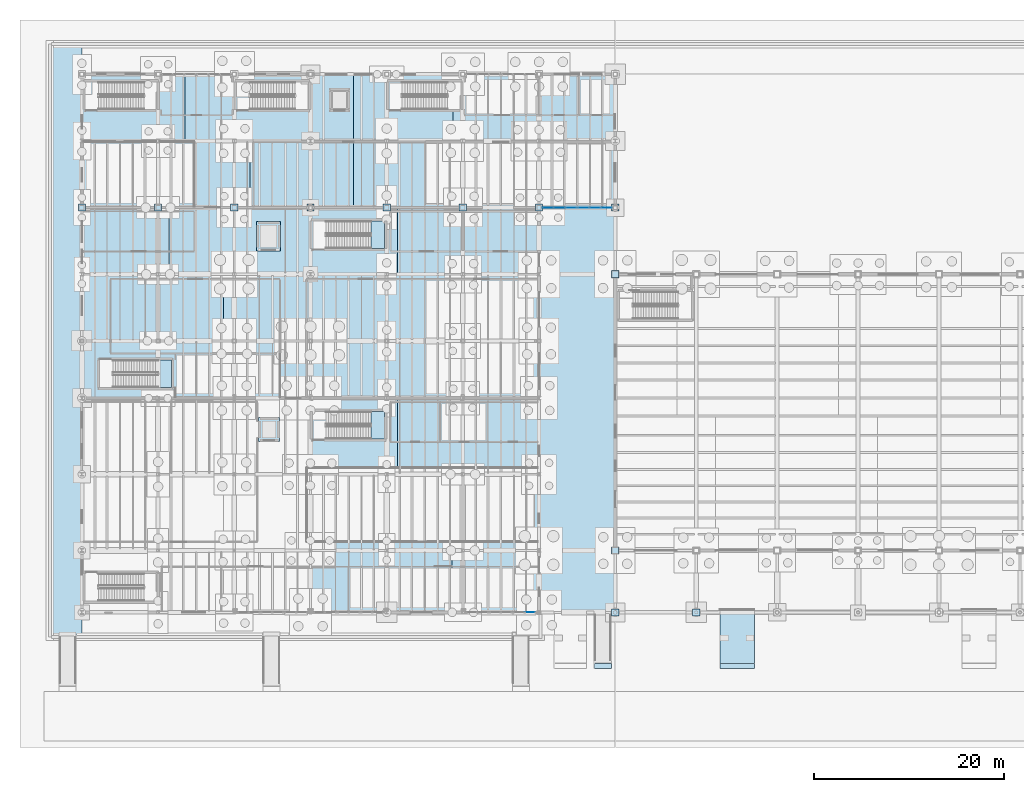
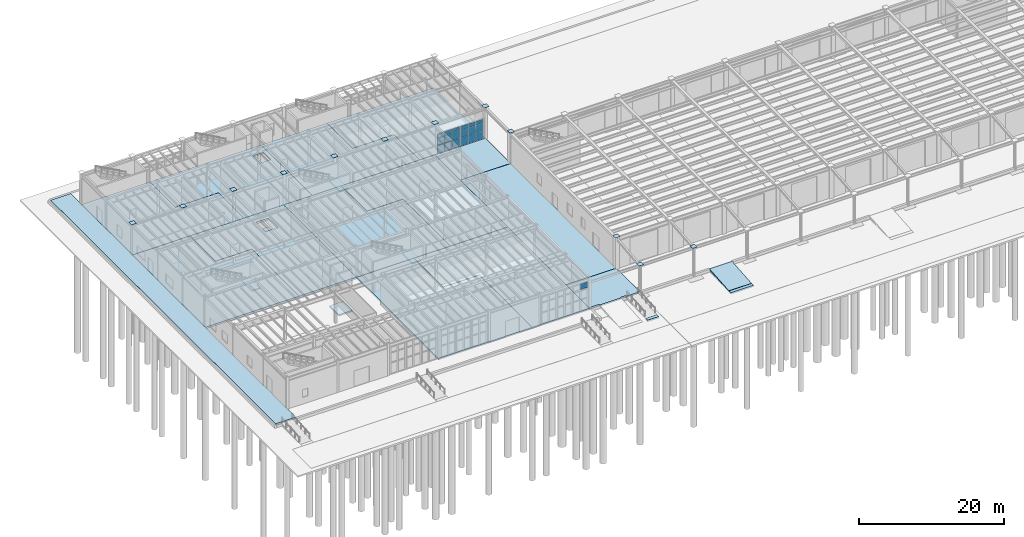
# One storey, part 49 of 86: 31 plates, 22 slabs, 6 elements without a shape of their own.
"""IFC4 building model written with IfcOpenShell, lengths in metres."""

from ifc_helpers import new_model, si_unit, direction, frame, origin, origin_2d, place, context, subcontext, project, spatial, polyline, rectangle, outline, extrude, material, layer, layer_set, material_profile, profile_set, type_object, element, aggregate, save


model = new_model("IFC4")

# Units and contexts
model_context = context("Model", 3, precision=1e-05, world=origin(), true_north=direction((0.0, 1.0)))
body_context = subcontext(model_context, "Body", "Model", "MODEL_VIEW")
ifc_project = project(units=[si_unit("LENGTHUNIT", "METRE"), si_unit("AREAUNIT", "SQUARE_METRE"), si_unit("VOLUMEUNIT", "CUBIC_METRE"), si_unit("PLANEANGLEUNIT", "RADIAN"), si_unit("MASSUNIT", "GRAM", prefix="KILO"), si_unit("THERMODYNAMICTEMPERATUREUNIT", "KELVIN"), si_unit("POWERUNIT", "WATT")], contexts=[model_context])

# Site, building, storey
site_placement = place(None, origin())
site = spatial("IfcSite", under=ifc_project, at=site_placement, CompositionType="ELEMENT")
building_placement = place(site_placement, origin())
building = spatial("IfcBuilding", under=site, at=building_placement, Name="Zhenchuan Central Fire Station", CompositionType="ELEMENT")
storey_placement = place(building_placement, frame((0.0, 0.0, 0.449951171875)))
storey = spatial("IfcBuildingStorey", under=building, at=storey_placement, Name="L01", CompositionType="ELEMENT", Elevation=0.449951171875)

# Curtain wall, plate
ifc_material_1 = material(Name="Anodised aluminium and low-E glazing", Category="aluminium")
curtain_wall_type_1 = type_object("IfcCurtainWallType", Name="CW-MOD-19", PredefinedType="USERDEFINED", material=ifc_material_1)
curtain_wall_1_placement = place(storey_placement, origin())
curtain_wall_1 = element("IfcCurtainWall", 1, at=curtain_wall_1_placement, inside=storey, type_object=curtain_wall_type_1, Name="L01 Unitised Curtain Wall 024", ObjectType="UNITISED GLAZING", PredefinedType="USERDEFINED")
ifc_material_2 = material(Name="Laminated low-E double glazing", Category="glass")
ifc_layer_1 = layer(ifc_material_2, 0.011962890625, Name="Laminated low-E double glazing", Category="glass")
ifc_layer_set_1 = layer_set([ifc_layer_1], Name="Laminated low-E double glazing")
plate_type_1 = type_object("IfcPlateType", Name="CW-PNL12", PredefinedType="CURTAIN_PANEL", material=ifc_layer_set_1)
plate_1_placement = place(storey_placement, frame((47.073974609375, 0.0, 3.66455078125), z_axis=(0.0, 0.0, 1.0), x_axis=(1.0, 0.0, 0.0)))
plate_1 = element("IfcPlate", 2, at=plate_1_placement, type_object=plate_type_1, Name="CW-19 panel 2.3", PredefinedType="CURTAIN_PANEL", context=body_context, shape_type="SweptSolid", body=[
    extrude(rectangle(XDim=1.101806640625, YDim=0.011962890625, at=origin_2d()), origin(), (0.0, 0.0, 1.0), 0.910400390625),
])
aggregate(curtain_wall_1, [plate_1])

# Curtain wall, plates
curtain_wall_type_2 = type_object("IfcCurtainWallType", Name="CW-MOD-05", PredefinedType="USERDEFINED", material=ifc_material_1)
curtain_wall_2_placement = place(storey_placement, origin())
curtain_wall_2 = element("IfcCurtainWall", 3, at=curtain_wall_2_placement, inside=storey, type_object=curtain_wall_type_2, Name="L01 Unitised Curtain Wall 056", ObjectType="UNITISED GLAZING", PredefinedType="USERDEFINED")
plate_2_placement = place(storey_placement, frame((48.926513671875, 42.5, 0.06103515625), z_axis=(0.0, 0.0, 1.0), x_axis=(1.0, 0.0, 0.0)))
plate_2 = element("IfcPlate", 4, at=plate_2_placement, type_object=plate_type_1, Name="CW-05 panel 1.1", PredefinedType="CURTAIN_PANEL", context=body_context, shape_type="SweptSolid", body=[
    extrude(rectangle(XDim=1.123046875, YDim=0.011962890625, at=origin_2d()), origin(), (0.0, 0.0, 1.0), 1.33447265625),
])
plate_3_placement = place(storey_placement, frame((48.926513671875, 42.5, 1.46044921875), z_axis=(0.0, 0.0, 1.0), x_axis=(1.0, 0.0, 0.0)))
plate_3 = element("IfcPlate", 5, at=plate_3_placement, type_object=plate_type_1, Name="CW-05 panel 1.2", PredefinedType="CURTAIN_PANEL", context=body_context, shape_type="SweptSolid", body=[
    extrude(rectangle(XDim=1.123046875, YDim=0.011962890625, at=origin_2d()), origin(), (0.0, 0.0, 1.0), 1.158935546875),
])
plate_4_placement = place(storey_placement, frame((48.926513671875, 42.5, 2.6845703125), z_axis=(0.0, 0.0, 1.0), x_axis=(1.0, 0.0, 0.0)))
plate_4 = element("IfcPlate", 6, at=plate_4_placement, type_object=plate_type_1, Name="CW-05 panel 1.3", PredefinedType="CURTAIN_PANEL", context=body_context, shape_type="SweptSolid", body=[
    extrude(rectangle(XDim=1.123046875, YDim=0.011962890625, at=origin_2d()), origin(), (0.0, 0.0, 1.0), 0.650390625),
])
plate_5_placement = place(storey_placement, frame((50.131103515625, 42.5, 0.06103515625), z_axis=(0.0, 0.0, 1.0), x_axis=(1.0, 0.0, 0.0)))
plate_5 = element("IfcPlate", 7, at=plate_5_placement, type_object=plate_type_1, Name="CW-05 panel 2.1", PredefinedType="CURTAIN_PANEL", context=body_context, shape_type="SweptSolid", body=[
    extrude(rectangle(XDim=1.15576171875, YDim=0.011962890625, at=origin_2d()), origin(), (0.0, 0.0, 1.0), 1.33447265625),
])
plate_6_placement = place(storey_placement, frame((50.131103515625, 42.5, 1.46044921875), z_axis=(0.0, 0.0, 1.0), x_axis=(1.0, 0.0, 0.0)))
plate_6 = element("IfcPlate", 8, at=plate_6_placement, type_object=plate_type_1, Name="CW-05 panel 2.2", PredefinedType="CURTAIN_PANEL", context=body_context, shape_type="SweptSolid", body=[
    extrude(rectangle(XDim=1.15576171875, YDim=0.011962890625, at=origin_2d()), origin(), (0.0, 0.0, 1.0), 1.158935546875),
])
plate_7_placement = place(storey_placement, frame((50.131103515625, 42.5, 2.6845703125), z_axis=(0.0, 0.0, 1.0), x_axis=(1.0, 0.0, 0.0)))
plate_7 = element("IfcPlate", 9, at=plate_7_placement, type_object=plate_type_1, Name="CW-05 panel 2.3", PredefinedType="CURTAIN_PANEL", context=body_context, shape_type="SweptSolid", body=[
    extrude(rectangle(XDim=1.15576171875, YDim=0.011962890625, at=origin_2d()), origin(), (0.0, 0.0, 1.0), 0.650390625),
])
plate_8_placement = place(storey_placement, frame((51.33544921875, 42.5, 0.06103515625), z_axis=(0.0, 0.0, 1.0), x_axis=(1.0, 0.0, 0.0)))
plate_8 = element("IfcPlate", 10, at=plate_8_placement, type_object=plate_type_1, Name="CW-05 panel 3.1", PredefinedType="CURTAIN_PANEL", context=body_context, shape_type="SweptSolid", body=[
    extrude(rectangle(XDim=1.123046875, YDim=0.011962890625, at=origin_2d()), origin(), (0.0, 0.0, 1.0), 1.33447265625),
])
plate_9_placement = place(storey_placement, frame((51.33544921875, 42.5, 1.46044921875), z_axis=(0.0, 0.0, 1.0), x_axis=(1.0, 0.0, 0.0)))
plate_9 = element("IfcPlate", 11, at=plate_9_placement, type_object=plate_type_1, Name="CW-05 panel 3.2", PredefinedType="CURTAIN_PANEL", context=body_context, shape_type="SweptSolid", body=[
    extrude(rectangle(XDim=1.123046875, YDim=0.011962890625, at=origin_2d()), origin(), (0.0, 0.0, 1.0), 1.158935546875),
])
plate_10_placement = place(storey_placement, frame((51.33544921875, 42.5, 2.6845703125), z_axis=(0.0, 0.0, 1.0), x_axis=(1.0, 0.0, 0.0)))
plate_10 = element("IfcPlate", 12, at=plate_10_placement, type_object=plate_type_1, Name="CW-05 panel 3.3", PredefinedType="CURTAIN_PANEL", context=body_context, shape_type="SweptSolid", body=[
    extrude(rectangle(XDim=1.123046875, YDim=0.011962890625, at=origin_2d()), origin(), (0.0, 0.0, 1.0), 0.650390625),
])
aggregate(curtain_wall_2, [plate_2, plate_3, plate_4, plate_5, plate_6, plate_7, plate_8, plate_9, plate_10])

curtain_wall_type_3 = type_object("IfcCurtainWallType", Name="CW-MOD-06", PredefinedType="USERDEFINED", material=ifc_material_1)
curtain_wall_3_placement = place(storey_placement, origin())
curtain_wall_3 = element("IfcCurtainWall", 13, at=curtain_wall_3_placement, inside=storey, type_object=curtain_wall_type_3, Name="L01 Unitised Curtain Wall 057", ObjectType="UNITISED GLAZING", PredefinedType="USERDEFINED")
plate_11_placement = place(storey_placement, frame((52.66455078125, 42.5, 0.06103515625), z_axis=(0.0, 0.0, 1.0), x_axis=(1.0, 0.0, 0.0)))
plate_11 = element("IfcPlate", 14, at=plate_11_placement, type_object=plate_type_1, Name="CW-06 panel 1.1", PredefinedType="CURTAIN_PANEL", context=body_context, shape_type="SweptSolid", body=[
    extrude(rectangle(XDim=1.123046875, YDim=0.011962890625, at=origin_2d()), origin(), (0.0, 0.0, 1.0), 1.33447265625),
])
plate_12_placement = place(storey_placement, frame((52.66455078125, 42.5, 1.46044921875), z_axis=(0.0, 0.0, 1.0), x_axis=(1.0, 0.0, 0.0)))
plate_12 = element("IfcPlate", 15, at=plate_12_placement, type_object=plate_type_1, Name="CW-06 panel 1.2", PredefinedType="CURTAIN_PANEL", context=body_context, shape_type="SweptSolid", body=[
    extrude(rectangle(XDim=1.123046875, YDim=0.011962890625, at=origin_2d()), origin(), (0.0, 0.0, 1.0), 1.158935546875),
])
plate_13_placement = place(storey_placement, frame((52.66455078125, 42.5, 2.6845703125), z_axis=(0.0, 0.0, 1.0), x_axis=(1.0, 0.0, 0.0)))
plate_13 = element("IfcPlate", 16, at=plate_13_placement, type_object=plate_type_1, Name="CW-06 panel 1.3", PredefinedType="CURTAIN_PANEL", context=body_context, shape_type="SweptSolid", body=[
    extrude(rectangle(XDim=1.123046875, YDim=0.011962890625, at=origin_2d()), origin(), (0.0, 0.0, 1.0), 0.650390625),
])
plate_14_placement = place(storey_placement, frame((53.868896484375, 42.5, 0.06103515625), z_axis=(0.0, 0.0, 1.0), x_axis=(1.0, 0.0, 0.0)))
plate_14 = element("IfcPlate", 17, at=plate_14_placement, type_object=plate_type_1, Name="CW-06 panel 2.1", PredefinedType="CURTAIN_PANEL", context=body_context, shape_type="SweptSolid", body=[
    extrude(rectangle(XDim=1.15576171875, YDim=0.011962890625, at=origin_2d()), origin(), (0.0, 0.0, 1.0), 1.33447265625),
])
plate_15_placement = place(storey_placement, frame((53.868896484375, 42.5, 1.46044921875), z_axis=(0.0, 0.0, 1.0), x_axis=(1.0, 0.0, 0.0)))
plate_15 = element("IfcPlate", 18, at=plate_15_placement, type_object=plate_type_1, Name="CW-06 panel 2.2", PredefinedType="CURTAIN_PANEL", context=body_context, shape_type="SweptSolid", body=[
    extrude(rectangle(XDim=1.15576171875, YDim=0.011962890625, at=origin_2d()), origin(), (0.0, 0.0, 1.0), 1.158935546875),
])
plate_16_placement = place(storey_placement, frame((53.868896484375, 42.5, 2.6845703125), z_axis=(0.0, 0.0, 1.0), x_axis=(1.0, 0.0, 0.0)))
plate_16 = element("IfcPlate", 19, at=plate_16_placement, type_object=plate_type_1, Name="CW-06 panel 2.3", PredefinedType="CURTAIN_PANEL", context=body_context, shape_type="SweptSolid", body=[
    extrude(rectangle(XDim=1.15576171875, YDim=0.011962890625, at=origin_2d()), origin(), (0.0, 0.0, 1.0), 0.650390625),
])
plate_17_placement = place(storey_placement, frame((55.073486328125, 42.5, 0.06103515625), z_axis=(0.0, 0.0, 1.0), x_axis=(1.0, 0.0, 0.0)))
plate_17 = element("IfcPlate", 20, at=plate_17_placement, type_object=plate_type_1, Name="CW-06 panel 3.1", PredefinedType="CURTAIN_PANEL", context=body_context, shape_type="SweptSolid", body=[
    extrude(rectangle(XDim=1.123046875, YDim=0.011962890625, at=origin_2d()), origin(), (0.0, 0.0, 1.0), 1.33447265625),
])
plate_18_placement = place(storey_placement, frame((55.073486328125, 42.5, 1.46044921875), z_axis=(0.0, 0.0, 1.0), x_axis=(1.0, 0.0, 0.0)))
plate_18 = element("IfcPlate", 21, at=plate_18_placement, type_object=plate_type_1, Name="CW-06 panel 3.2", PredefinedType="CURTAIN_PANEL", context=body_context, shape_type="SweptSolid", body=[
    extrude(rectangle(XDim=1.123046875, YDim=0.011962890625, at=origin_2d()), origin(), (0.0, 0.0, 1.0), 1.158935546875),
])
plate_19_placement = place(storey_placement, frame((55.073486328125, 42.5, 2.6845703125), z_axis=(0.0, 0.0, 1.0), x_axis=(1.0, 0.0, 0.0)))
plate_19 = element("IfcPlate", 22, at=plate_19_placement, type_object=plate_type_1, Name="CW-06 panel 3.3", PredefinedType="CURTAIN_PANEL", context=body_context, shape_type="SweptSolid", body=[
    extrude(rectangle(XDim=1.123046875, YDim=0.011962890625, at=origin_2d()), origin(), (0.0, 0.0, 1.0), 0.650390625),
])
aggregate(curtain_wall_3, [plate_11, plate_12, plate_13, plate_14, plate_15, plate_16, plate_17, plate_18, plate_19])

# Plates
ifc_material_3 = material(Name="Steel Q355B", Category="steel")
ifc_material_profile_1 = material_profile(ifc_material_3, rectangle(XDim=0.760009765625, YDim=0.760009765625, at=origin_2d()), Name="PL 760x760x40")
ifc_profile_set_1 = profile_set([ifc_material_profile_1], Name="Steel Q355B")
plate_type_2 = type_object("IfcPlateType", Name="PL-BAS40", PredefinedType="SHEET", material=ifc_profile_set_1)
for number, where, z_axis, x_axis, name in (
    (23, (0.0, 42.5, 5.39599609375), (0.0, 0.0, 1.0), (1.0, 0.0, 0.0), "L01 Column 007 end cap plate B"),
    (24, (56.0, 0.0, 4.60595703125), (0.0, 0.0, 1.0), (1.0, 0.0, 0.0), "L01 Column 064 end cap plate B"),
    (25, (64.5, 0.0, 4.60595703125), (0.0, 0.0, 1.0), (1.0, 0.0, 0.0), "L01 Column 070 end cap plate B"),
):
    element("IfcPlate", number, at=place(storey_placement, frame(where, z_axis=z_axis, x_axis=x_axis)), inside=storey, type_object=plate_type_2, Name=name, PredefinedType="SHEET", context=body_context, shape_type="SweptSolid", body=[
        extrude(rectangle(XDim=0.760009765625, YDim=0.760009765625, at=origin_2d()), origin(), (0.0, 0.0, 1.0), 0.02001953125),
    ])
ifc_material_profile_2 = material_profile(ifc_material_3, rectangle(XDim=0.760009765625, YDim=0.760009765625, at=origin_2d()), Name="PL 760x760x40")
ifc_profile_set_2 = profile_set([ifc_material_profile_2], Name="Steel Q355B")
plate_type_3 = type_object("IfcPlateType", Name="PL-BAS40-INT", PredefinedType="SHEET", material=ifc_profile_set_2)
for number, where, z_axis, x_axis, name in (
    (26, (8.0, 42.5, 5.39599609375), (0.0, 0.0, 1.0), (1.0, 0.0, 0.0), "L01 Column 016 end cap plate B"),
    (27, (16.0, 42.5, 5.39599609375), (0.0, 0.0, 1.0), (1.0, 0.0, 0.0), "L01 Column 025 end cap plate B"),
    (28, (24.0, 42.5, 5.39599609375), (0.0, 0.0, 1.0), (1.0, 0.0, 0.0), "L01 Column 034 end cap plate B"),
    (29, (32.0, 42.5, 5.39599609375), (0.0, 0.0, 1.0), (1.0, 0.0, 0.0), "L01 Column 043 end cap plate B"),
    (30, (40.0, 42.5, 5.39599609375), (0.0, 0.0, 1.0), (1.0, 0.0, 0.0), "L01 Column 052 end cap plate B"),
    (31, (48.0, 42.5, 5.39599609375), (0.0, 0.0, 1.0), (1.0, 0.0, 0.0), "L01 Column 061 end cap plate B"),
    (32, (56.0, 6.5, 5.39599609375), (0.0, 0.0, 1.0), (1.0, 0.0, 0.0), "L01 Column 065 end cap plate B"),
    (33, (56.0, 35.5, 5.39599609375), (0.0, 0.0, 1.0), (1.0, 0.0, 0.0), "L01 Column 066 end cap plate B"),
    (34, (56.0, 42.5, 5.39599609375), (0.0, 0.0, 1.0), (1.0, 0.0, 0.0), "L01 Column 067 end cap plate B"),
):
    element("IfcPlate", number, at=place(storey_placement, frame(where, z_axis=z_axis, x_axis=x_axis)), inside=storey, type_object=plate_type_3, Name=name, PredefinedType="SHEET", context=body_context, shape_type="SweptSolid", body=[
        extrude(rectangle(XDim=0.760009765625, YDim=0.760009765625, at=origin_2d()), origin(), (0.0, 0.0, 1.0), 0.02001953125),
    ])

# Slabs
ifc_material_4 = material(Name="Concrete C35/45", Category="concrete")
ifc_layer_2 = layer(ifc_material_4, 0.25, Name="Concrete C35/45", Category="concrete")
ifc_layer_set_2 = layer_set([ifc_layer_2], Name="Concrete C35/45")
slab_type_1 = type_object("IfcSlabType", Name="SL-BASE250", PredefinedType="BASESLAB", material=ifc_layer_set_2)
slab_1_placement = place(storey_placement, frame((0.0, 0.0, -0.25)))
element("IfcSlab", 35, at=slab_1_placement, inside=storey, type_object=slab_type_1, Name="L01 Gallery East Plinth Panel A", PredefinedType="BASESLAB", context=body_context, shape_type="SweptSolid", body=[
    extrude(outline(polyline([(24.0, 0.0), (38.876953125, 0.0), (38.876953125, 14.4970703125), (33.116943359375, 14.4970703125), (33.116943359375, 22.5), (24.0, 22.5), (24.0, 0.0)])), origin(), (0.0, 0.0, 1.0), 0.25),
])
slab_2_placement = place(storey_placement, frame((0.0, 0.0, -0.25)))
element("IfcSlab", 36, at=slab_2_placement, inside=storey, type_object=slab_type_1, Name="L01 Gallery East Plinth Panel B", PredefinedType="BASESLAB", context=body_context, shape_type="SweptSolid", body=[
    extrude(outline(polyline([(38.883056640625, 0.0), (48.0, 0.0), (48.0, 22.5), (33.123046875, 22.5), (33.123046875, 14.5029296875), (38.883056640625, 14.5029296875), (38.883056640625, 0.0)])), origin(), (0.0, 0.0, 1.0), 0.25),
])
slab_3_placement = place(storey_placement, frame((0.0, 0.0, -0.25)))
element("IfcSlab", 37, at=slab_3_placement, inside=storey, type_object=slab_type_1, Name="L01 Crew West Plinth Panel A", PredefinedType="BASESLAB", context=body_context, shape_type="SweptSolid", body=[
    extrude(outline(polyline([(0.0, 42.5), (17.6669921875, 42.5), (17.6669921875, 49.4970703125), (10.826904296875, 49.4970703125), (10.826904296875, 56.5), (0.0, 56.5), (0.0, 42.5)])), origin(), (0.0, 0.0, 1.0), 0.25),
])
slab_4_placement = place(storey_placement, frame((0.0, 0.0, -0.25)))
element("IfcSlab", 38, at=slab_4_placement, inside=storey, type_object=slab_type_1, Name="L01 Crew West Plinth Panel B", PredefinedType="BASESLAB", context=body_context, shape_type="SweptSolid", body=[
    extrude(outline(polyline([(17.673095703125, 42.5), (28.5, 42.5), (28.5, 56.5), (10.8330078125, 56.5), (10.8330078125, 49.5029296875), (17.673095703125, 49.5029296875), (17.673095703125, 42.5)]), holes=[polyline([(26.199951171875, 52.800048828125), (27.89990234375, 52.800048828125), (27.89990234375, 54.800048828125), (26.199951171875, 54.800048828125), (26.199951171875, 52.800048828125)])]), origin(), (0.0, 0.0, 1.0), 0.25),
])
slab_5_placement = place(storey_placement, frame((0.0, 0.0, -0.25)))
element("IfcSlab", 39, at=slab_5_placement, inside=storey, type_object=slab_type_1, Name="L01 Crew East Plinth Panel A", PredefinedType="BASESLAB", context=body_context, shape_type="SweptSolid", body=[
    extrude(outline(polyline([(28.506103515625, 42.5), (45.533935546875, 42.5), (45.533935546875, 49.4970703125), (38.94091796875, 49.4970703125), (38.94091796875, 56.5), (28.506103515625, 56.5), (28.506103515625, 42.5)])), origin(), (0.0, 0.0, 1.0), 0.25),
])
slab_6_placement = place(storey_placement, frame((0.0, 0.0, -0.25)))
element("IfcSlab", 40, at=slab_6_placement, inside=storey, type_object=slab_type_1, Name="L01 Crew East Plinth Panel B", PredefinedType="BASESLAB", context=body_context, shape_type="SweptSolid", body=[
    extrude(outline(polyline([(45.5400390625, 42.5), (55.97509765625, 42.5), (55.97509765625, 56.5), (38.947021484375, 56.5), (38.947021484375, 49.5029296875), (45.5400390625, 49.5029296875), (45.5400390625, 42.5)])), origin(), (0.0, 0.0, 1.0), 0.25),
])
ifc_layer_3 = layer(ifc_material_4, 0.25, Name="Concrete C35/45", Category="concrete")
ifc_layer_set_3 = layer_set([ifc_layer_3], Name="Concrete C35/45")
slab_type_2 = type_object("IfcSlabType", Name="SL-BASE250-EXT", PredefinedType="BASESLAB", material=ifc_layer_set_3)
slab_7_placement = place(storey_placement, frame((0.0, 0.0, -1.89990234375)))
element("IfcSlab", 41, at=slab_7_placement, inside=storey, type_object=slab_type_2, Name="Lift LP-04 Pit Base Slab", PredefinedType="BASESLAB", context=body_context, shape_type="SweptSolid", body=[
    extrude(outline(polyline([(18.550048828125, 17.949951171875), (20.75, 17.949951171875), (20.75, 20.449951171875), (18.550048828125, 20.449951171875), (18.550048828125, 17.949951171875)])), origin(), (0.0, 0.0, 1.0), 0.25),
])
slab_8_placement = place(storey_placement, frame((0.0, 0.0, -1.89990234375)))
element("IfcSlab", 42, at=slab_8_placement, inside=storey, type_object=slab_type_2, Name="Lift LG-01 Pit Base Slab", PredefinedType="BASESLAB", context=body_context, shape_type="SweptSolid", body=[
    extrude(outline(polyline([(18.35009765625, 37.949951171875), (20.85009765625, 37.949951171875), (20.85009765625, 41.050048828125), (18.35009765625, 41.050048828125), (18.35009765625, 37.949951171875)])), origin(), (0.0, 0.0, 1.0), 0.25),
])
slab_9_placement = place(storey_placement, frame((0.0, 0.0, -0.25)))
element("IfcSlab", 43, at=slab_9_placement, inside=storey, type_object=slab_type_2, Name="Boulevard Entry Canopy Plinth Deck", PredefinedType="BASESLAB", context=body_context, shape_type="SweptSolid", body=[
    extrude(outline(polyline([(48.00390625, 0.1640625), (49.595947265625, 0.1640625), (49.595947265625, 0.0), (53.00390625, 0.0), (53.00390625, 0.1640625), (53.7958984375, 0.1640625), (53.7958984375, 0.0), (55.60400390625, 0.0), (55.60400390625, 0.1640625), (55.97509765625, 0.1640625), (55.97509765625, 6.49609375), (48.00390625, 6.49609375), (48.00390625, 0.1640625)])), origin(), (0.0, 0.0, 1.0), 0.25),
])
slab_10_placement = place(storey_placement, frame((0.0, 0.0, -0.25)))
element("IfcSlab", 44, at=slab_10_placement, inside=storey, type_object=slab_type_2, Name="Central Drive-Through Fire Lane Deck", PredefinedType="BASESLAB", context=body_context, shape_type="SweptSolid", body=[
    extrude(outline(polyline([(48.00390625, 6.50390625), (55.97509765625, 6.50390625), (55.97509765625, 35.5), (48.00390625, 35.5), (48.00390625, 6.50390625)])), origin(), (0.0, 0.0, 1.0), 0.25),
])
slab_11_placement = place(storey_placement, frame((0.0, 0.0, -0.25)))
element("IfcSlab", 45, at=slab_11_placement, inside=storey, type_object=slab_type_2, Name="West Turnaround Courtyard Link Deck", PredefinedType="BASESLAB", context=body_context, shape_type="SweptSolid", body=[
    extrude(outline(polyline([(48.00390625, 35.50390625), (55.97509765625, 35.50390625), (55.97509765625, 42.49609375), (48.00390625, 42.49609375), (48.00390625, 35.50390625)])), origin(), (0.0, 0.0, 1.0), 0.25),
])
slab_12_placement = place(storey_placement, frame((0.0, 0.0, -0.25)))
element("IfcSlab", 46, at=slab_12_placement, inside=storey, type_object=slab_type_2, Name="West Perimeter Escape Walkway Plinth", PredefinedType="BASESLAB", context=body_context, shape_type="SweptSolid", body=[
    extrude(outline(polyline([(-3.199951171875, -2.39990234375), (-0.00390625, -2.39990234375), (-0.00390625, 59.5), (-3.199951171875, 59.5), (-3.199951171875, -2.39990234375)])), origin(), (0.0, 0.0, 1.0), 0.25),
])
ifc_layer_4 = layer(ifc_material_4, 0.320068359375, Name="Concrete C35/45", Category="concrete")
ifc_layer_set_4 = layer_set([ifc_layer_4], Name="Concrete C35/45")
slab_type_3 = type_object("IfcSlabType", Name="SL-BASE320", PredefinedType="BASESLAB", material=ifc_layer_set_4)
slab_13_placement = place(storey_placement, frame((0.0, 0.0, -0.320068359375)))
element("IfcSlab", 47, at=slab_13_placement, inside=storey, type_object=slab_type_3, Name="L01 Workshop West Slab Panel A", PredefinedType="BASESLAB", context=body_context, shape_type="SweptSolid", body=[
    extrude(outline(polyline([(0.0, 22.5), (14.876953125, 22.5), (14.876953125, 35.4970703125), (9.116943359375, 35.4970703125), (9.116943359375, 42.5), (0.0, 42.5), (0.0, 22.5)])), origin(), (0.0, 0.0, 1.0), 0.320068359375),
])
slab_14_placement = place(storey_placement, frame((0.0, 0.0, -0.320068359375)))
element("IfcSlab", 48, at=slab_14_placement, inside=storey, type_object=slab_type_3, Name="L01 Workshop West Slab Panel B", PredefinedType="BASESLAB", context=body_context, shape_type="SweptSolid", body=[
    extrude(outline(polyline([(14.883056640625, 22.5), (24.0, 22.5), (24.0, 42.5), (9.123046875, 42.5), (9.123046875, 35.5029296875), (14.883056640625, 35.5029296875), (14.883056640625, 22.5)]), holes=[polyline([(18.60009765625, 38.199951171875), (20.60009765625, 38.199951171875), (20.60009765625, 40.800048828125), (18.60009765625, 40.800048828125), (18.60009765625, 38.199951171875)])]), origin(), (0.0, 0.0, 1.0), 0.320068359375),
])
slab_15_placement = place(storey_placement, frame((0.0, 0.0, -0.320068359375)))
element("IfcSlab", 49, at=slab_15_placement, inside=storey, type_object=slab_type_3, Name="L01 Workshop East Slab Panel A", PredefinedType="BASESLAB", context=body_context, shape_type="SweptSolid", body=[
    extrude(outline(polyline([(24.0, 22.5), (38.876953125, 22.5), (38.876953125, 35.4970703125), (33.116943359375, 35.4970703125), (33.116943359375, 42.5), (24.0, 42.5), (24.0, 22.5)])), origin(), (0.0, 0.0, 1.0), 0.320068359375),
])
slab_16_placement = place(storey_placement, frame((0.0, 0.0, -0.320068359375)))
element("IfcSlab", 50, at=slab_16_placement, inside=storey, type_object=slab_type_3, Name="L01 Workshop East Slab Panel B", PredefinedType="BASESLAB", context=body_context, shape_type="SweptSolid", body=[
    extrude(outline(polyline([(38.883056640625, 22.5), (48.0, 22.5), (48.0, 42.5), (33.123046875, 42.5), (33.123046875, 35.5029296875), (38.883056640625, 35.5029296875), (38.883056640625, 22.5)])), origin(), (0.0, 0.0, 1.0), 0.320068359375),
])

# Stair, slab
stair_type = type_object("IfcStairType", Name="ST-CORE-L01", PredefinedType="HALF_TURN_STAIR", material=ifc_material_4)
stair_1_placement = place(storey_placement, origin())
stair_1 = element("IfcStair", 51, at=stair_1_placement, inside=storey, type_object=stair_type, Name="L01 Gallery East Exit Stair", PredefinedType="HALF_TURN_STAIR")
ifc_layer_5 = layer(ifc_material_4, 0.159912109375, Name="Concrete C35/45", Category="concrete")
ifc_layer_set_5 = layer_set([ifc_layer_5], Name="Concrete C35/45")
slab_type_4 = type_object("IfcSlabType", Name="SL-LND160", PredefinedType="LANDING", material=ifc_layer_set_5)
slab_17_placement = place(storey_placement, frame((0.0, 0.0, 2.5)))
slab_17 = element("IfcSlab", 52, at=slab_17_placement, type_object=slab_type_4, Name="ST-02 landing 1", PredefinedType="LANDING", context=body_context, shape_type="SweptSolid", body=[
    extrude(outline(polyline([(30.3798828125, 18.199951171875), (31.780029296875, 18.199951171875), (31.780029296875, 21.10009765625), (30.3798828125, 21.10009765625), (30.3798828125, 18.199951171875)])), origin(), (0.0, 0.0, 1.0), 0.199951171875),
])
aggregate(stair_1, [slab_17])

stair_2_placement = place(storey_placement, origin())
stair_2 = element("IfcStair", 53, at=stair_2_placement, inside=storey, type_object=stair_type, Name="L01 Workshop West Exit Stair", PredefinedType="HALF_TURN_STAIR")
slab_18_placement = place(storey_placement, frame((0.0, 0.0, 2.5)))
slab_18 = element("IfcSlab", 54, at=slab_18_placement, type_object=slab_type_4, Name="ST-03 landing 1", PredefinedType="LANDING", context=body_context, shape_type="SweptSolid", body=[
    extrude(outline(polyline([(8.010009765625, 23.60009765625), (9.409912109375, 23.60009765625), (9.409912109375, 26.5), (8.010009765625, 26.5), (8.010009765625, 23.60009765625)])), origin(), (0.0, 0.0, 1.0), 0.199951171875),
])
aggregate(stair_2, [slab_18])

stair_3_placement = place(storey_placement, origin())
stair_3 = element("IfcStair", 55, at=stair_3_placement, inside=storey, type_object=stair_type, Name="L01 Workshop East Exit Stair", PredefinedType="HALF_TURN_STAIR")
slab_19_placement = place(storey_placement, frame((0.0, 0.0, 2.5)))
slab_19 = element("IfcSlab", 56, at=slab_19_placement, type_object=slab_type_4, Name="ST-04 landing 1", PredefinedType="LANDING", context=body_context, shape_type="SweptSolid", body=[
    extrude(outline(polyline([(30.3798828125, 38.199951171875), (31.780029296875, 38.199951171875), (31.780029296875, 41.10009765625), (30.3798828125, 41.10009765625), (30.3798828125, 38.199951171875)])), origin(), (0.0, 0.0, 1.0), 0.199951171875),
])
aggregate(stair_3, [slab_19])

# Slabs
ifc_layer_6 = layer(ifc_material_4, 0.2099609375, Name="Concrete C35/45", Category="concrete")
ifc_layer_set_6 = layer_set([ifc_layer_6], Name="Concrete C35/45")
slab_type_5 = type_object("IfcSlabType", Name="SL-LND210", PredefinedType="LANDING", material=ifc_layer_set_6)
slab_20_placement = place(storey_placement, frame((0.0, 0.0, -0.7099609375)))
element("IfcSlab", 57, at=slab_20_placement, inside=storey, type_object=slab_type_5, Name="Canopy Forecourt Accessible Ramp RP-06 Lower Landing", PredefinedType="LANDING", context=body_context, shape_type="SweptSolid", body=[
    extrude(outline(polyline([(53.800048828125, -5.89990234375), (55.60009765625, -5.89990234375), (55.60009765625, -5.360107421875), (53.800048828125, -5.360107421875), (53.800048828125, -5.89990234375)])), origin(), (0.0, 0.0, 1.0), 0.260009765625),
])
slab_21_placement = place(storey_placement, frame((0.0, 0.0, -0.7099609375)))
element("IfcSlab", 58, at=slab_21_placement, inside=storey, type_object=slab_type_5, Name="Appliance Apron Vehicle Ramp West Lower Landing", PredefinedType="LANDING", context=body_context, shape_type="SweptSolid", body=[
    extrude(outline(polyline([(67.0, -5.89990234375), (70.60009765625, -5.89990234375), (70.60009765625, -5.382080078125), (67.0, -5.382080078125), (67.0, -5.89990234375)])), origin(), (0.0, 0.0, 1.0), 0.260009765625),
])
ifc_layer_7 = layer(ifc_material_4, 0.25, Name="Concrete C35/45", Category="concrete")
ifc_layer_set_7 = layer_set([ifc_layer_7], Name="Concrete C35/45")
slab_type_6 = type_object("IfcSlabType", Name="SL-RMP250", PredefinedType="BASESLAB", material=ifc_layer_set_7)
slab_22_placement = place(storey_placement, frame((67.0, -5.3779296875, -0.447998046875), z_axis=(0.0, -0.083008043113, 0.996548877265), x_axis=(1.0, 0.0, 0.0)))
element("IfcSlab", 59, at=slab_22_placement, inside=storey, type_object=slab_type_6, Name="Appliance Apron Vehicle Ramp West Structural Ramp Slab", PredefinedType="BASESLAB", context=body_context, shape_type="SweptSolid", body=[
    extrude(outline(polyline([(0.0, 0.0), (3.60009765625, 0.0), (3.60009765625, 5.397043829410383), (0.0, 5.397043829410383), (0.0, 0.0)])), origin(), (0.0, 0.0, -1.0), 0.25),
])

save(model, "model.ifc")
